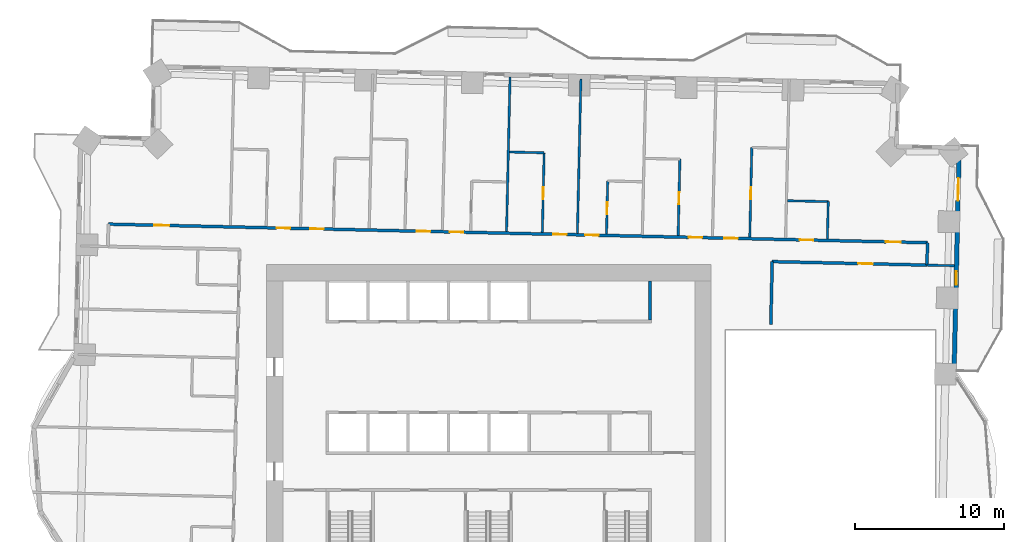
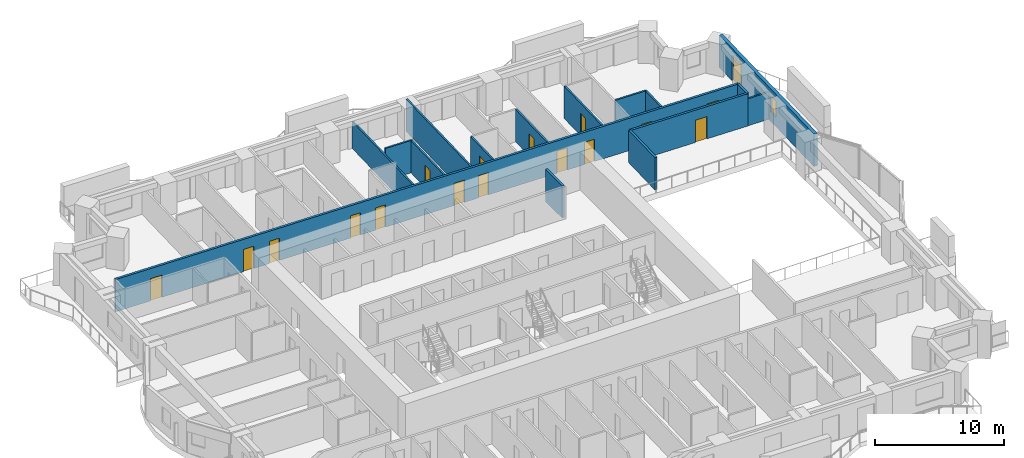
# One storey, part 12 of 18: 17 doors, 16 walls, 1 window, 18 openings.
"""IFC4 building model written with IfcOpenShell, lengths in metres."""

from ifc_helpers import new_model, si_unit, direction, frame, frame_2d, origin, place, context, subcontext, project, spatial, rectangle, extrude, material, layer, layer_set, type_object, element, fill, save


model = new_model("IFC4")

# Units and contexts
model_context = context("Model", 3, precision=1e-05, world=origin(), true_north=direction((0.0, 1.0)))
body_context = subcontext(model_context, "Body", "Model", "MODEL_VIEW")
ifc_project = project(units=[si_unit("LENGTHUNIT", "METRE"), si_unit("AREAUNIT", "SQUARE_METRE"), si_unit("VOLUMEUNIT", "CUBIC_METRE"), si_unit("PLANEANGLEUNIT", "RADIAN"), si_unit("MASSUNIT", "GRAM", prefix="KILO")], contexts=[model_context])

# Site, building, storey
site_placement = place(None, origin())
site = spatial("IfcSite", under=ifc_project, at=site_placement, CompositionType="ELEMENT")
building_placement = place(site_placement, origin())
building = spatial("IfcBuilding", under=site, at=building_placement, Name="Mangrove Gate Tower", CompositionType="ELEMENT")
storey_placement = place(building_placement, frame((0.0, 0.0, 67.5)))
storey = spatial("IfcBuildingStorey", under=building, at=storey_placement, Name="L16", CompositionType="ELEMENT", Elevation=67.5)

# Walls
ifc_material_1 = material(Name="Concrete C32/40", Category="concrete")
ifc_layer_1 = layer(ifc_material_1, 0.199951171875)
ifc_layer_set_1 = layer_set([ifc_layer_1], Name="Core room wall 200 C32/40")
wall_type_1 = type_object("IfcWallType", Name="Core room wall 200 C32/40", PredefinedType="STANDARD", material=ifc_layer_set_1)
wall_1_placement = place(storey_placement, frame((10.800048828125, 8.199951171875, 0.0), z_axis=(0.0, 0.0, 1.0), x_axis=(0.0, 1.0, 0.0)))
element("IfcWall", 1, at=wall_1_placement, inside=storey, type_object=wall_type_1, Name="WALL-L16-CORE-33", PredefinedType="STANDARD", context=body_context, shape_type="SweptSolid", body=[
    extrude(rectangle(XDim=2.60009765625, YDim=0.199951171875, at=frame_2d((1.300048828125, 0.0))), origin(), (0.0, 0.0, 1.0), 3.050048828125),
])
ifc_material_2 = material(Name="Gypsum board on steel stud, EI 60", Category="steel")
ifc_layer_2 = layer(ifc_material_2, 0.199951171875)
ifc_layer_set_2 = layer_set([ifc_layer_2], Name="Corridor wall EI 60")
wall_type_2 = type_object("IfcWallType", Name="Corridor wall EI 60", PredefinedType="PARTITIONING", material=ifc_layer_set_2)
wall_2_placement = place(storey_placement, frame((18.89111328125, 7.903076171875, 0.0), z_axis=(0.0, 0.0, 1.0), x_axis=(0.022807092041, 0.999739884446, 0.0)))
element("IfcWall", 2, at=wall_2_placement, inside=storey, type_object=wall_type_2, Name="WALL-L16-050", PredefinedType="PARTITIONING", context=body_context, shape_type="SweptSolid", body=[
    extrude(rectangle(XDim=4.206787109375, YDim=0.199951171875, at=frame_2d((2.103515625, 0.0))), origin(), (0.0, 0.0, 1.0), 3.050048828125),
])

# Wall, opening, door
wall_3_placement = place(storey_placement, frame((18.985107421875, 12.10888671875, 0.0), z_axis=(0.0, 0.0, 1.0), x_axis=(0.999743715221, -0.022638548456, 0.0)))
wall_3 = element("IfcWall", 3, at=wall_3_placement, inside=storey, type_object=wall_type_2, Name="WALL-L16-056", PredefinedType="PARTITIONING", context=body_context, shape_type="SweptSolid", body=[
    extrude(rectangle(XDim=10.37451171875, YDim=0.199951171875, at=frame_2d((5.187255859375, 0.0))), origin(), (0.0, 0.0, 1.0), 3.050048828125),
])
opening_1_placement = place(wall_3_placement, frame((5.75, 0.0, 0.0)))
opening_1 = element("IfcOpeningElement", 4, at=opening_1_placement, cuts=wall_3, Name="Opening AD", PredefinedType="OPENING", context=body_context, shape_type="SweptSolid", body=[
    extrude(rectangle(XDim=1.0, YDim=2.10009765625, at=frame_2d((0.5, 1.050048828125))), frame((0.0, 0.10986328125, 0.0), z_axis=(0.0, -1.0, 0.0), x_axis=(1.0, 0.0, 0.0)), (0.0, 0.0, 1.0), 0.219970703125),
])
ifc_material_3 = material(Name="Timber door leaf", Category="wood")
door_type_1 = type_object("IfcDoorType", Name="Amenity door 1000", OperationType="SINGLE_SWING_LEFT", PredefinedType="DOOR", material=ifc_material_3)
door_1_placement = place(opening_1_placement, origin())
door_1 = element("IfcDoor", 5, at=door_1_placement, inside=storey, type_object=door_type_1, Name="DOOR-L16-KIT-c3a", OperationType="SINGLE_SWING_RIGHT", OverallHeight=2.10009765625, OverallWidth=1.0, PredefinedType="DOOR", context=body_context, shape_type="SweptSolid", body=[
    extrude(rectangle(XDim=1.0, YDim=2.10009765625, at=frame_2d((0.5, 1.050048828125))), frame((0.0, 0.02490234375, 0.0), z_axis=(0.0, -1.0, 0.0), x_axis=(1.0, 0.0, 0.0)), (0.0, 0.0, 1.0), 0.050048828125),
])
fill(opening_1, door_1)

# Wall
wall_4_placement = place(storey_placement, frame((29.35400390625, 11.8740234375, 0.0), z_axis=(0.0, 0.0, 1.0), x_axis=(0.022632637625, 0.99974384905, 0.0)))
element("IfcWall", 6, at=wall_4_placement, inside=storey, type_object=wall_type_2, Name="WALL-L16-057", PredefinedType="PARTITIONING", context=body_context, shape_type="SweptSolid", body=[
    extrude(rectangle(XDim=1.49951171875, YDim=0.199951171875, at=frame_2d((0.749755859375, 0.0))), origin(), (0.0, 0.0, 1.0), 3.050048828125),
])

# Wall, openings, doors
wall_5_placement = place(storey_placement, frame((-25.48095703125, 14.618896484375, 0.0), z_axis=(0.0, 0.0, 1.0), x_axis=(0.999742349682, -0.022698772048, 0.0)))
wall_5 = element("IfcWall", 7, at=wall_5_placement, inside=storey, type_object=wall_type_2, Name="WALL-L16-059", PredefinedType="PARTITIONING", context=body_context, shape_type="SweptSolid", body=[
    extrude(rectangle(XDim=54.88623046875, YDim=0.199951171875, at=frame_2d((27.443115234375, 0.0))), origin(), (0.0, 0.0, 1.0), 3.050048828125),
])
opening_2_placement = place(wall_5_placement, frame((52.093017578125, 0.0, 0.0)))
opening_2 = element("IfcOpeningElement", 8, at=opening_2_placement, cuts=wall_5, Name="Opening AD", PredefinedType="OPENING", context=body_context, shape_type="SweptSolid", body=[
    extrude(rectangle(XDim=1.0, YDim=2.10009765625, at=frame_2d((0.5, 1.050048828125))), frame((0.0, 0.10986328125, 0.0), z_axis=(0.0, -1.0, 0.0), x_axis=(1.0, 0.0, 0.0)), (0.0, 0.0, 1.0), 0.219970703125),
])
opening_3_placement = place(wall_5_placement, frame((46.324951171875, 0.0, 0.0)))
opening_3 = element("IfcOpeningElement", 9, at=opening_3_placement, cuts=wall_5, Name="Opening SD", PredefinedType="OPENING", context=body_context, shape_type="SweptSolid", body=[
    extrude(rectangle(XDim=0.89990234375, YDim=2.10009765625, at=frame_2d((0.449951171875, 1.050048828125))), frame((0.0, 0.10986328125, 0.0), z_axis=(0.0, -1.0, 0.0), x_axis=(1.0, 0.0, 0.0)), (0.0, 0.0, 1.0), 0.219970703125),
])
opening_4_placement = place(wall_5_placement, frame((41.27490234375, 0.0, 0.0)))
opening_4 = element("IfcOpeningElement", 10, at=opening_4_placement, cuts=wall_5, Name="Opening BD", PredefinedType="OPENING", context=body_context, shape_type="SweptSolid", body=[
    extrude(rectangle(XDim=0.89990234375, YDim=2.10009765625, at=frame_2d((0.449951171875, 1.050048828125))), frame((0.0, 0.10986328125, 0.0), z_axis=(0.0, -1.0, 0.0), x_axis=(1.0, 0.0, 0.0)), (0.0, 0.0, 1.0), 0.219970703125),
])
opening_5_placement = place(wall_5_placement, frame((38.875, 0.0, 0.0)))
opening_5 = element("IfcOpeningElement", 11, at=opening_5_placement, cuts=wall_5, Name="Opening BD", PredefinedType="OPENING", context=body_context, shape_type="SweptSolid", body=[
    extrude(rectangle(XDim=0.89990234375, YDim=2.10009765625, at=frame_2d((0.449951171875, 1.050048828125))), frame((0.0, 0.10986328125, 0.0), z_axis=(0.0, -1.0, 0.0), x_axis=(1.0, 0.0, 0.0)), (0.0, 0.0, 1.0), 0.219970703125),
])
opening_6_placement = place(wall_5_placement, frame((31.949951171875, 0.0, 0.0)))
opening_6 = element("IfcOpeningElement", 12, at=opening_6_placement, cuts=wall_5, Name="Opening BD", PredefinedType="OPENING", context=body_context, shape_type="SweptSolid", body=[
    extrude(rectangle(XDim=0.89990234375, YDim=2.10009765625, at=frame_2d((0.449951171875, 1.050048828125))), frame((0.0, 0.10986328125, 0.0), z_axis=(0.0, -1.0, 0.0), x_axis=(1.0, 0.0, 0.0)), (0.0, 0.0, 1.0), 0.219970703125),
])
opening_7_placement = place(wall_5_placement, frame((29.800048828125, 0.0, 0.0)))
opening_7 = element("IfcOpeningElement", 13, at=opening_7_placement, cuts=wall_5, Name="Opening BD", PredefinedType="OPENING", context=body_context, shape_type="SweptSolid", body=[
    extrude(rectangle(XDim=0.89990234375, YDim=2.10009765625, at=frame_2d((0.449951171875, 1.050048828125))), frame((0.0, 0.10986328125, 0.0), z_axis=(0.0, -1.0, 0.0), x_axis=(1.0, 0.0, 0.0)), (0.0, 0.0, 1.0), 0.219970703125),
])
opening_8_placement = place(wall_5_placement, frame((22.875, 0.0, 0.0)))
opening_8 = element("IfcOpeningElement", 14, at=opening_8_placement, cuts=wall_5, Name="Opening BD", PredefinedType="OPENING", context=body_context, shape_type="SweptSolid", body=[
    extrude(rectangle(XDim=0.89990234375, YDim=2.10009765625, at=frame_2d((0.449951171875, 1.050048828125))), frame((0.0, 0.10986328125, 0.0), z_axis=(0.0, -1.0, 0.0), x_axis=(1.0, 0.0, 0.0)), (0.0, 0.0, 1.0), 0.219970703125),
])
opening_9_placement = place(wall_5_placement, frame((20.675048828125, 0.0, 0.0)))
opening_9 = element("IfcOpeningElement", 15, at=opening_9_placement, cuts=wall_5, Name="Opening BD", PredefinedType="OPENING", context=body_context, shape_type="SweptSolid", body=[
    extrude(rectangle(XDim=0.89990234375, YDim=2.10009765625, at=frame_2d((0.449951171875, 1.050048828125))), frame((0.0, 0.10986328125, 0.0), z_axis=(0.0, -1.0, 0.0), x_axis=(1.0, 0.0, 0.0)), (0.0, 0.0, 1.0), 0.219970703125),
])
opening_10_placement = place(wall_5_placement, frame((13.52490234375, 0.0, 0.0)))
opening_10 = element("IfcOpeningElement", 16, at=opening_10_placement, cuts=wall_5, Name="Opening BD", PredefinedType="OPENING", context=body_context, shape_type="SweptSolid", body=[
    extrude(rectangle(XDim=0.89990234375, YDim=2.10009765625, at=frame_2d((0.449951171875, 1.050048828125))), frame((0.0, 0.10986328125, 0.0), z_axis=(0.0, -1.0, 0.0), x_axis=(1.0, 0.0, 0.0)), (0.0, 0.0, 1.0), 0.219970703125),
])
opening_11_placement = place(wall_5_placement, frame((11.27490234375, 0.0, 0.0)))
opening_11 = element("IfcOpeningElement", 17, at=opening_11_placement, cuts=wall_5, Name="Opening BD", PredefinedType="OPENING", context=body_context, shape_type="SweptSolid", body=[
    extrude(rectangle(XDim=0.89990234375, YDim=2.10009765625, at=frame_2d((0.449951171875, 1.050048828125))), frame((0.0, 0.10986328125, 0.0), z_axis=(0.0, -1.0, 0.0), x_axis=(1.0, 0.0, 0.0)), (0.0, 0.0, 1.0), 0.219970703125),
])
opening_12_placement = place(wall_5_placement, frame((3.0791015625, 0.0, 0.0)))
opening_12 = element("IfcOpeningElement", 18, at=opening_12_placement, cuts=wall_5, Name="Opening AD", PredefinedType="OPENING", context=body_context, shape_type="SweptSolid", body=[
    extrude(rectangle(XDim=1.0, YDim=2.10009765625, at=frame_2d((0.5, 1.050048828125))), frame((0.0, 0.10986328125, 0.0), z_axis=(0.0, -1.0, 0.0), x_axis=(1.0, 0.0, 0.0)), (0.0, 0.0, 1.0), 0.219970703125),
])
door_2_placement = place(opening_2_placement, origin())
door_2 = element("IfcDoor", 19, at=door_2_placement, inside=storey, type_object=door_type_1, Name="DOOR-L16-LNG-c3a", OperationType="SINGLE_SWING_LEFT", OverallHeight=2.10009765625, OverallWidth=1.0, PredefinedType="DOOR", context=body_context, shape_type="SweptSolid", body=[
    extrude(rectangle(XDim=1.0, YDim=2.10009765625, at=frame_2d((0.5, 1.050048828125))), frame((0.0, 0.02490234375, 0.0), z_axis=(0.0, -1.0, 0.0), x_axis=(1.0, 0.0, 0.0)), (0.0, 0.0, 1.0), 0.050048828125),
])
fill(opening_2, door_2)
door_3_placement = place(opening_12_placement, origin())
door_3 = element("IfcDoor", 20, at=door_3_placement, inside=storey, type_object=door_type_1, Name="DOOR-L16-KIT-c5a", OperationType="SINGLE_SWING_RIGHT", OverallHeight=2.10009765625, OverallWidth=1.0, PredefinedType="DOOR", context=body_context, shape_type="SweptSolid", body=[
    extrude(rectangle(XDim=1.0, YDim=2.10009765625, at=frame_2d((0.5, 1.050048828125))), frame((0.0, 0.02490234375, 0.0), z_axis=(0.0, -1.0, 0.0), x_axis=(1.0, 0.0, 0.0)), (0.0, 0.0, 1.0), 0.050048828125),
])
fill(opening_12, door_3)
ifc_material_4 = material(Name="Timber door leaf", Category="wood")
door_type_2 = type_object("IfcDoorType", Name="Bedroom door 900", OperationType="SINGLE_SWING_LEFT", PredefinedType="DOOR", material=ifc_material_4)
door_4_placement = place(opening_4_placement, origin())
door_4 = element("IfcDoor", 21, at=door_4_placement, inside=storey, type_object=door_type_2, Name="DOOR-L16-BED-c310", OperationType="SINGLE_SWING_RIGHT", OverallHeight=2.10009765625, OverallWidth=0.89990234375, PredefinedType="DOOR", context=body_context, shape_type="SweptSolid", body=[
    extrude(rectangle(XDim=0.89990234375, YDim=2.10009765625, at=frame_2d((0.449951171875, 1.050048828125))), frame((0.0, 0.02490234375, 0.0), z_axis=(0.0, -1.0, 0.0), x_axis=(1.0, 0.0, 0.0)), (0.0, 0.0, 1.0), 0.050048828125),
])
fill(opening_4, door_4)
door_5_placement = place(opening_5_placement, origin())
door_5 = element("IfcDoor", 22, at=door_5_placement, inside=storey, type_object=door_type_2, Name="DOOR-L16-BED-c311", OperationType="SINGLE_SWING_LEFT", OverallHeight=2.10009765625, OverallWidth=0.89990234375, PredefinedType="DOOR", context=body_context, shape_type="SweptSolid", body=[
    extrude(rectangle(XDim=0.89990234375, YDim=2.10009765625, at=frame_2d((0.449951171875, 1.050048828125))), frame((0.0, 0.02490234375, 0.0), z_axis=(0.0, -1.0, 0.0), x_axis=(1.0, 0.0, 0.0)), (0.0, 0.0, 1.0), 0.050048828125),
])
fill(opening_5, door_5)
door_6_placement = place(opening_6_placement, origin())
door_6 = element("IfcDoor", 23, at=door_6_placement, inside=storey, type_object=door_type_2, Name="DOOR-L16-BED-c412", OperationType="SINGLE_SWING_RIGHT", OverallHeight=2.10009765625, OverallWidth=0.89990234375, PredefinedType="DOOR", context=body_context, shape_type="SweptSolid", body=[
    extrude(rectangle(XDim=0.89990234375, YDim=2.10009765625, at=frame_2d((0.449951171875, 1.050048828125))), frame((0.0, 0.02490234375, 0.0), z_axis=(0.0, -1.0, 0.0), x_axis=(1.0, 0.0, 0.0)), (0.0, 0.0, 1.0), 0.050048828125),
])
fill(opening_6, door_6)
door_7_placement = place(opening_7_placement, origin())
door_7 = element("IfcDoor", 24, at=door_7_placement, inside=storey, type_object=door_type_2, Name="DOOR-L16-BED-c413", OperationType="SINGLE_SWING_LEFT", OverallHeight=2.10009765625, OverallWidth=0.89990234375, PredefinedType="DOOR", context=body_context, shape_type="SweptSolid", body=[
    extrude(rectangle(XDim=0.89990234375, YDim=2.10009765625, at=frame_2d((0.449951171875, 1.050048828125))), frame((0.0, 0.02490234375, 0.0), z_axis=(0.0, -1.0, 0.0), x_axis=(1.0, 0.0, 0.0)), (0.0, 0.0, 1.0), 0.050048828125),
])
fill(opening_7, door_7)
door_8_placement = place(opening_8_placement, origin())
door_8 = element("IfcDoor", 25, at=door_8_placement, inside=storey, type_object=door_type_2, Name="DOOR-L16-BED-c414", OperationType="SINGLE_SWING_RIGHT", OverallHeight=2.10009765625, OverallWidth=0.89990234375, PredefinedType="DOOR", context=body_context, shape_type="SweptSolid", body=[
    extrude(rectangle(XDim=0.89990234375, YDim=2.10009765625, at=frame_2d((0.449951171875, 1.050048828125))), frame((0.0, 0.02490234375, 0.0), z_axis=(0.0, -1.0, 0.0), x_axis=(1.0, 0.0, 0.0)), (0.0, 0.0, 1.0), 0.050048828125),
])
fill(opening_8, door_8)
door_9_placement = place(opening_9_placement, origin())
door_9 = element("IfcDoor", 26, at=door_9_placement, inside=storey, type_object=door_type_2, Name="DOOR-L16-BED-c515", OperationType="SINGLE_SWING_LEFT", OverallHeight=2.10009765625, OverallWidth=0.89990234375, PredefinedType="DOOR", context=body_context, shape_type="SweptSolid", body=[
    extrude(rectangle(XDim=0.89990234375, YDim=2.10009765625, at=frame_2d((0.449951171875, 1.050048828125))), frame((0.0, 0.02490234375, 0.0), z_axis=(0.0, -1.0, 0.0), x_axis=(1.0, 0.0, 0.0)), (0.0, 0.0, 1.0), 0.050048828125),
])
fill(opening_9, door_9)
door_10_placement = place(opening_10_placement, origin())
door_10 = element("IfcDoor", 27, at=door_10_placement, inside=storey, type_object=door_type_2, Name="DOOR-L16-BED-c516", OperationType="SINGLE_SWING_RIGHT", OverallHeight=2.10009765625, OverallWidth=0.89990234375, PredefinedType="DOOR", context=body_context, shape_type="SweptSolid", body=[
    extrude(rectangle(XDim=0.89990234375, YDim=2.10009765625, at=frame_2d((0.449951171875, 1.050048828125))), frame((0.0, 0.02490234375, 0.0), z_axis=(0.0, -1.0, 0.0), x_axis=(1.0, 0.0, 0.0)), (0.0, 0.0, 1.0), 0.050048828125),
])
fill(opening_10, door_10)
door_11_placement = place(opening_11_placement, origin())
door_11 = element("IfcDoor", 28, at=door_11_placement, inside=storey, type_object=door_type_2, Name="DOOR-L16-BED-c517", OperationType="SINGLE_SWING_LEFT", OverallHeight=2.10009765625, OverallWidth=0.89990234375, PredefinedType="DOOR", context=body_context, shape_type="SweptSolid", body=[
    extrude(rectangle(XDim=0.89990234375, YDim=2.10009765625, at=frame_2d((0.449951171875, 1.050048828125))), frame((0.0, 0.02490234375, 0.0), z_axis=(0.0, -1.0, 0.0), x_axis=(1.0, 0.0, 0.0)), (0.0, 0.0, 1.0), 0.050048828125),
])
fill(opening_11, door_11)
ifc_material_5 = material(Name="Timber door leaf", Category="wood")
door_type_3 = type_object("IfcDoorType", Name="Service room door 900", OperationType="SINGLE_SWING_LEFT", PredefinedType="DOOR", material=ifc_material_5)
door_12_placement = place(opening_3_placement, origin())
door_12 = element("IfcDoor", 29, at=door_12_placement, inside=storey, type_object=door_type_3, Name="DOOR-L16-LDY-c3a", OperationType="SINGLE_SWING_RIGHT", OverallHeight=2.10009765625, OverallWidth=0.89990234375, PredefinedType="DOOR", context=body_context, shape_type="SweptSolid", body=[
    extrude(rectangle(XDim=0.89990234375, YDim=2.10009765625, at=frame_2d((0.449951171875, 1.050048828125))), frame((0.0, 0.02490234375, 0.0), z_axis=(0.0, -1.0, 0.0), x_axis=(1.0, 0.0, 0.0)), (0.0, 0.0, 1.0), 0.050048828125),
])
fill(opening_3, door_12)

# Wall, openings, door, window
ifc_material_6 = material(Name="Limestone", Category="masonry")
ifc_layer_3 = layer(ifc_material_6, 0.0400390625, Name="Limestone cladding")
ifc_material_7 = material(Name="Ventilated air gap")
ifc_layer_4 = layer(ifc_material_7, 0.0400390625, Name="Ventilated cavity")
ifc_material_8 = material(Name="Mineral wool insulation")
ifc_layer_5 = layer(ifc_material_8, 0.06005859375, Name="Insulation")
ifc_material_9 = material(Name="Breather membrane")
ifc_layer_6 = layer(ifc_material_9, 0.001953125, Name="Breather membrane")
ifc_material_10 = material(Name="Concrete C20/25 blockwork", Category="masonry")
ifc_layer_7 = layer(ifc_material_10, 0.14990234375, Name="Blockwork backing wall")
ifc_material_11 = material(Name="Gypsum plaster")
ifc_layer_8 = layer(ifc_material_11, 0.008056640625, Name="Internal plaster")
ifc_layer_set_3 = layer_set([ifc_layer_3, ifc_layer_4, ifc_layer_5, ifc_layer_6, ifc_layer_7, ifc_layer_8], Name="External wall 300 limestone cladding")
wall_type_3 = type_object("IfcWallType", Name="External wall 300 limestone cladding", PredefinedType="SOLIDWALL", material=ifc_layer_set_3)
wall_6_placement = place(storey_placement, frame((31.1650390625, 4.501953125, 0.0), z_axis=(0.0, 0.0, 1.0), x_axis=(0.022716307128, 0.999741951401, 0.0)))
wall_6 = element("IfcWall", 30, at=wall_6_placement, inside=storey, type_object=wall_type_3, Name="WALL-L16-E2", PredefinedType="SOLIDWALL", context=body_context, shape_type="SweptSolid", body=[
    extrude(rectangle(XDim=15.22900390625, YDim=0.300048828125, at=frame_2d((7.614501953125, 0.0))), origin(), (0.0, 0.0, 1.0), 3.050048828125),
])
opening_13_placement = place(wall_6_placement, frame((6.05908203125, 0.0, 0.89990234375)))
opening_13 = element("IfcOpeningElement", 31, at=opening_13_placement, cuts=wall_6, Name="Opening W5", PredefinedType="OPENING", context=body_context, shape_type="SweptSolid", body=[
    extrude(rectangle(XDim=0.89990234375, YDim=1.5, at=frame_2d((0.449951171875, 0.75))), frame((0.0, 0.159912109375, 0.0), z_axis=(0.0, -1.0, 0.0), x_axis=(1.0, 0.0, 0.0)), (0.0, 0.0, 1.0), 0.320068359375),
])
opening_14_placement = place(wall_6_placement, frame((11.697021484375, 0.0, 0.0)))
opening_14 = element("IfcOpeningElement", 32, at=opening_14_placement, cuts=wall_6, Name="Opening BD1", PredefinedType="OPENING", context=body_context, shape_type="SweptSolid", body=[
    extrude(rectangle(XDim=1.5, YDim=2.39990234375, at=frame_2d((0.75, 1.199951171875))), frame((0.0, 0.159912109375, 0.0), z_axis=(0.0, -1.0, 0.0), x_axis=(1.0, 0.0, 0.0)), (0.0, 0.0, 1.0), 0.320068359375),
])
ifc_material_12 = material(Name="Aluminium frame with laminated clear glass", Category="aluminium")
door_type_4 = type_object("IfcDoorType", Name="Balcony sliding door 1500x2400", OperationType="SLIDING_TO_LEFT", PredefinedType="DOOR", material=ifc_material_12)
door_13_placement = place(opening_14_placement, origin())
door_13 = element("IfcDoor", 33, at=door_13_placement, inside=storey, type_object=door_type_4, Name="DOOR-L16-E2-2", OperationType="SLIDING_TO_LEFT", OverallHeight=2.39990234375, OverallWidth=1.5, PredefinedType="DOOR", context=body_context, shape_type="SweptSolid", body=[
    extrude(rectangle(XDim=1.5, YDim=2.39990234375, at=frame_2d((0.75, 1.199951171875))), frame((0.0, 0.02490234375, 0.0), z_axis=(0.0, -1.0, 0.0), x_axis=(1.0, 0.0, 0.0)), (0.0, 0.0, 1.0), 0.050048828125),
])
fill(opening_14, door_13)
ifc_material_13 = material(Name="Aluminium frame with double-glazed low-e glass", Category="aluminium")
window_type = type_object("IfcWindowType", Name="Narrow window 900x1500", PartitioningType="SINGLE_PANEL", PredefinedType="WINDOW", material=ifc_material_13)
window_placement = place(opening_13_placement, origin())
window = element("IfcWindow", 34, at=window_placement, inside=storey, type_object=window_type, Name="WIN-L16-E2-1", OverallHeight=1.5, OverallWidth=0.89990234375, PartitioningType="SINGLE_PANEL", PredefinedType="WINDOW", context=body_context, shape_type="SweptSolid", body=[
    extrude(rectangle(XDim=0.89990234375, YDim=1.5, at=frame_2d((0.449951171875, 0.75))), frame((0.0, 0.030029296875, 0.0), z_axis=(0.0, -1.0, 0.0), x_axis=(1.0, 0.0, 0.0)), (0.0, 0.0, 1.0), 0.06005859375),
])
fill(opening_13, window)

# Walls
ifc_material_14 = material(Name="Gypsum board on steel stud, EI 60", Category="steel")
ifc_layer_9 = layer(ifc_material_14, 0.14990234375)
ifc_layer_set_4 = layer_set([ifc_layer_9], Name="Party wall 150 EI 60")
wall_type_4 = type_object("IfcWallType", Name="Party wall 150 EI 60", PredefinedType="PARTITIONING", material=ifc_layer_set_4)
wall_7_placement = place(storey_placement, frame((29.35693359375, 11.8740234375, 0.0), z_axis=(0.0, 0.0, 1.0), x_axis=(0.999735374258, -0.023003944398, 0.0)))
element("IfcWall", 35, at=wall_7_placement, inside=storey, type_object=wall_type_4, Name="WALL-L16-058", PredefinedType="PARTITIONING", context=body_context, shape_type="SweptSolid", body=[
    extrude(rectangle(XDim=1.825439453125, YDim=0.14990234375, at=frame_2d((0.91259765625, 0.0))), origin(), (0.0, 0.0, 1.0), 2.550048828125),
])
wall_8_placement = place(storey_placement, frame((1.18798828125, 14.113037109375, 0.0), z_axis=(0.0, 0.0, 1.0), x_axis=(0.022620139731, 0.999744131905, 0.0)))
element("IfcWall", 36, at=wall_8_placement, inside=storey, type_object=wall_type_4, Name="WALL-L16-068", PredefinedType="PARTITIONING", context=body_context, shape_type="SweptSolid", body=[
    extrude(rectangle(XDim=10.3505859375, YDim=0.14990234375, at=frame_2d((5.17529296875, 0.0))), origin(), (0.0, 0.0, 1.0), 2.550048828125),
])

# Wall, opening, door
wall_9_placement = place(storey_placement, frame((3.5869140625, 14.05908203125, 0.0), z_axis=(0.0, 0.0, 1.0), x_axis=(0.022675711771, 0.999742872991, 0.0)))
wall_9 = element("IfcWall", 37, at=wall_9_placement, inside=storey, type_object=wall_type_4, Name="WALL-L16-069", PredefinedType="PARTITIONING", context=body_context, shape_type="SweptSolid", body=[
    extrude(rectangle(XDim=5.34033203125, YDim=0.14990234375, at=frame_2d((2.670166015625, 0.0))), origin(), (0.0, 0.0, 1.0), 3.050048828125),
])
opening_15_placement = place(wall_9_placement, frame((2.219970703125, 0.0, 0.0)))
opening_15 = element("IfcOpeningElement", 38, at=opening_15_placement, cuts=wall_9, Name="Opening ED", PredefinedType="OPENING", context=body_context, shape_type="SweptSolid", body=[
    extrude(rectangle(XDim=0.800048828125, YDim=2.10009765625, at=frame_2d((0.39990234375, 1.050048828125))), frame((0.0, 0.0849609375, 0.0), z_axis=(0.0, -1.0, 0.0), x_axis=(1.0, 0.0, 0.0)), (0.0, 0.0, 1.0), 0.169921875),
])
ifc_material_15 = material(Name="Timber door leaf", Category="wood")
door_type_5 = type_object("IfcDoorType", Name="En-suite door 800", OperationType="SINGLE_SWING_LEFT", PredefinedType="DOOR", material=ifc_material_15)
door_14_placement = place(opening_15_placement, origin())
door_14 = element("IfcDoor", 39, at=door_14_placement, inside=storey, type_object=door_type_5, Name="DOOR-L16-ENS-c413", OperationType="SINGLE_SWING_LEFT", OverallHeight=2.10009765625, OverallWidth=0.800048828125, PredefinedType="DOOR", context=body_context, shape_type="SweptSolid", body=[
    extrude(rectangle(XDim=0.800048828125, YDim=2.10009765625, at=frame_2d((0.39990234375, 1.050048828125))), frame((0.0, 0.02490234375, 0.0), z_axis=(0.0, -1.0, 0.0), x_axis=(1.0, 0.0, 0.0)), (0.0, 0.0, 1.0), 0.050048828125),
])
fill(opening_15, door_14)

# Wall
wall_10_placement = place(storey_placement, frame((5.93603515625, 14.006103515625, 0.0), z_axis=(0.0, 0.0, 1.0), x_axis=(0.022693005506, 0.999742480592, 0.0)))
element("IfcWall", 40, at=wall_10_placement, inside=storey, type_object=wall_type_4, Name="WALL-L16-070", PredefinedType="PARTITIONING", context=body_context, shape_type="SweptSolid", body=[
    extrude(rectangle(XDim=10.349609375, YDim=0.14990234375, at=frame_2d((5.1748046875, 0.0))), origin(), (0.0, 0.0, 1.0), 3.050048828125),
])

# Wall, opening, door
wall_11_placement = place(storey_placement, frame((7.885986328125, 13.9609375, 0.0), z_axis=(0.0, 0.0, 1.0), x_axis=(0.022557373628, 0.999745550075, 0.0)))
wall_11 = element("IfcWall", 41, at=wall_11_placement, inside=storey, type_object=wall_type_4, Name="WALL-L16-071", PredefinedType="PARTITIONING", context=body_context, shape_type="SweptSolid", body=[
    extrude(rectangle(XDim=3.550048828125, YDim=0.14990234375, at=frame_2d((1.77490234375, 0.0))), origin(), (0.0, 0.0, 1.0), 3.050048828125),
])
opening_16_placement = place(wall_11_placement, frame((1.324951171875, 0.0, 0.0)))
opening_16 = element("IfcOpeningElement", 42, at=opening_16_placement, cuts=wall_11, Name="Opening ED", PredefinedType="OPENING", context=body_context, shape_type="SweptSolid", body=[
    extrude(rectangle(XDim=0.800048828125, YDim=2.10009765625, at=frame_2d((0.39990234375, 1.050048828125))), frame((0.0, 0.0849609375, 0.0), z_axis=(0.0, -1.0, 0.0), x_axis=(1.0, 0.0, 0.0)), (0.0, 0.0, 1.0), 0.169921875),
])
door_15_placement = place(opening_16_placement, origin())
door_15 = element("IfcDoor", 43, at=door_15_placement, inside=storey, type_object=door_type_5, Name="DOOR-L16-ENS-c412", OperationType="SINGLE_SWING_RIGHT", OverallHeight=2.10009765625, OverallWidth=0.800048828125, PredefinedType="DOOR", context=body_context, shape_type="SweptSolid", body=[
    extrude(rectangle(XDim=0.800048828125, YDim=2.10009765625, at=frame_2d((0.39990234375, 1.050048828125))), frame((0.0, 0.02490234375, 0.0), z_axis=(0.0, -1.0, 0.0), x_axis=(1.0, 0.0, 0.0)), (0.0, 0.0, 1.0), 0.050048828125),
])
fill(opening_16, door_15)

wall_12_placement = place(storey_placement, frame((12.68505859375, 13.85302734375, 0.0), z_axis=(0.0, 0.0, 1.0), x_axis=(0.02265315592, 0.999743384338, 0.0)))
wall_12 = element("IfcWall", 44, at=wall_12_placement, inside=storey, type_object=wall_type_4, Name="WALL-L16-073", PredefinedType="PARTITIONING", context=body_context, shape_type="SweptSolid", body=[
    extrude(rectangle(XDim=5.119140625, YDim=0.14990234375, at=frame_2d((2.5595703125, 0.0))), origin(), (0.0, 0.0, 1.0), 3.050048828125),
])
opening_17_placement = place(wall_12_placement, frame((2.110107421875, 0.0, 0.0)))
opening_17 = element("IfcOpeningElement", 45, at=opening_17_placement, cuts=wall_12, Name="Opening ED", PredefinedType="OPENING", context=body_context, shape_type="SweptSolid", body=[
    extrude(rectangle(XDim=0.800048828125, YDim=2.10009765625, at=frame_2d((0.39990234375, 1.050048828125))), frame((0.0, 0.0849609375, 0.0), z_axis=(0.0, -1.0, 0.0), x_axis=(1.0, 0.0, 0.0)), (0.0, 0.0, 1.0), 0.169921875),
])
door_16_placement = place(opening_17_placement, origin())
door_16 = element("IfcDoor", 46, at=door_16_placement, inside=storey, type_object=door_type_5, Name="DOOR-L16-ENS-c311", OperationType="SINGLE_SWING_LEFT", OverallHeight=2.10009765625, OverallWidth=0.800048828125, PredefinedType="DOOR", context=body_context, shape_type="SweptSolid", body=[
    extrude(rectangle(XDim=0.800048828125, YDim=2.10009765625, at=frame_2d((0.39990234375, 1.050048828125))), frame((0.0, 0.02490234375, 0.0), z_axis=(0.0, -1.0, 0.0), x_axis=(1.0, 0.0, 0.0)), (0.0, 0.0, 1.0), 0.050048828125),
])
fill(opening_17, door_16)

wall_13_placement = place(storey_placement, frame((17.48291015625, 13.743896484375, 0.0), z_axis=(0.0, 0.0, 1.0), x_axis=(0.022831220511, 0.999739333712, 0.0)))
wall_13 = element("IfcWall", 47, at=wall_13_placement, inside=storey, type_object=wall_type_4, Name="WALL-L16-075", PredefinedType="PARTITIONING", context=body_context, shape_type="SweptSolid", body=[
    extrude(rectangle(XDim=6.009521484375, YDim=0.14990234375, at=frame_2d((3.0048828125, 0.0))), origin(), (0.0, 0.0, 1.0), 3.050048828125),
])
opening_18_placement = place(wall_13_placement, frame((2.554931640625, 0.0, 0.0)))
opening_18 = element("IfcOpeningElement", 48, at=opening_18_placement, cuts=wall_13, Name="Opening ED", PredefinedType="OPENING", context=body_context, shape_type="SweptSolid", body=[
    extrude(rectangle(XDim=0.800048828125, YDim=2.10009765625, at=frame_2d((0.39990234375, 1.050048828125))), frame((0.0, 0.0849609375, 0.0), z_axis=(0.0, -1.0, 0.0), x_axis=(1.0, 0.0, 0.0)), (0.0, 0.0, 1.0), 0.169921875),
])
door_17_placement = place(opening_18_placement, origin())
door_17 = element("IfcDoor", 49, at=door_17_placement, inside=storey, type_object=door_type_5, Name="DOOR-L16-ENS-c310", OperationType="SINGLE_SWING_RIGHT", OverallHeight=2.10009765625, OverallWidth=0.800048828125, PredefinedType="DOOR", context=body_context, shape_type="SweptSolid", body=[
    extrude(rectangle(XDim=0.800048828125, YDim=2.10009765625, at=frame_2d((0.39990234375, 1.050048828125))), frame((0.0, 0.02490234375, 0.0), z_axis=(0.0, -1.0, 0.0), x_axis=(1.0, 0.0, 0.0)), (0.0, 0.0, 1.0), 0.050048828125),
])
fill(opening_18, door_17)

# Walls
wall_14_placement = place(storey_placement, frame((22.681884765625, 13.6259765625, 0.0), z_axis=(0.0, 0.0, 1.0), x_axis=(0.022854521249, 0.999738801317, 0.0)))
element("IfcWall", 50, at=wall_14_placement, inside=storey, type_object=wall_type_4, Name="WALL-L16-077", PredefinedType="PARTITIONING", context=body_context, shape_type="SweptSolid", body=[
    extrude(rectangle(XDim=2.499755859375, YDim=0.14990234375, at=frame_2d((1.25, 0.0))), origin(), (0.0, 0.0, 1.0), 3.050048828125),
])
wall_15_placement = place(storey_placement, frame((20.01611328125, 16.18701171875, 0.0), z_axis=(0.0, 0.0, 1.0), x_axis=(0.99974114142, -0.022751926344, 0.0)))
element("IfcWall", 51, at=wall_15_placement, inside=storey, type_object=wall_type_4, Name="WALL-L16-078", PredefinedType="PARTITIONING", context=body_context, shape_type="SweptSolid", body=[
    extrude(rectangle(XDim=2.7255859375, YDim=0.14990234375, at=frame_2d((1.36279296875, 0.0))), origin(), (0.0, 0.0, 1.0), 3.050048828125),
])
wall_16_placement = place(storey_placement, frame((1.385986328125, 19.449951171875, 0.0), z_axis=(0.0, 0.0, 1.0), x_axis=(0.999749744571, -0.022370700241, 0.0)))
element("IfcWall", 52, at=wall_16_placement, inside=storey, type_object=wall_type_4, Name="WALL-L16-084", PredefinedType="PARTITIONING", context=body_context, shape_type="SweptSolid", body=[
    extrude(rectangle(XDim=2.324462890625, YDim=0.14990234375, at=frame_2d((1.162109375, 0.0))), origin(), (0.0, 0.0, 1.0), 3.050048828125),
])

save(model, "model.ifc")
